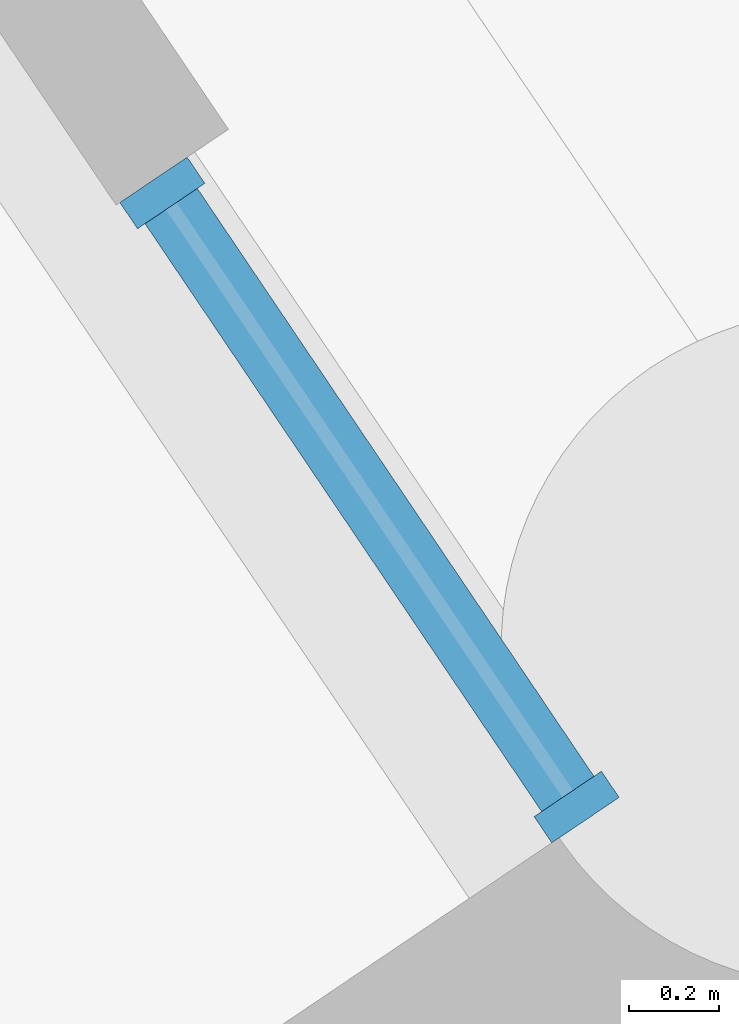
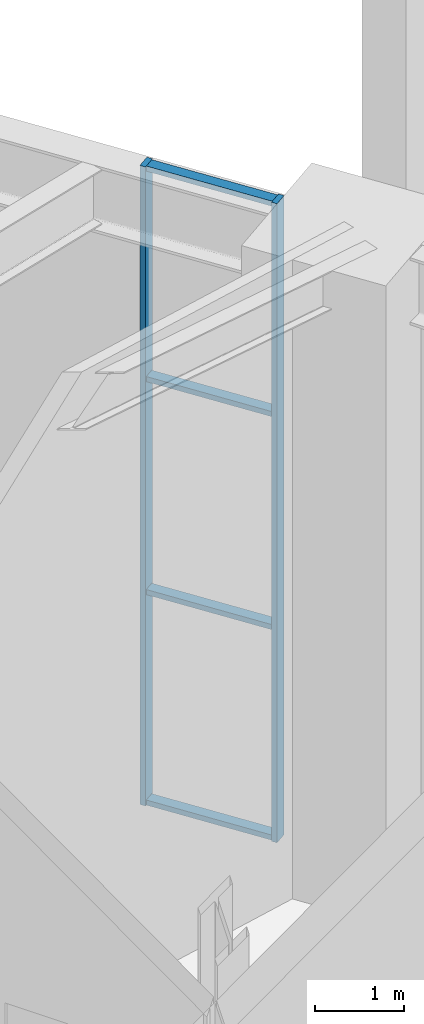
# One storey, part 15 of 43: 6 members, 1 element without a shape of its own.
"""IFC4 building model written with IfcOpenShell, lengths in metres."""

from ifc_helpers import new_model, si_unit, direction, frame, origin, origin_2d, place, context, subcontext, project, spatial, rectangle, extrude, material, material_profile, profile_set, type_object, element, aggregate, save


model = new_model("IFC4")

# Units and contexts
model_context = context("Model", 3, precision=1e-05, world=origin(), true_north=direction((0.0, 1.0)))
body_context = subcontext(model_context, "Body", "Model", "MODEL_VIEW")
ifc_project = project(units=[si_unit("LENGTHUNIT", "METRE"), si_unit("AREAUNIT", "SQUARE_METRE"), si_unit("VOLUMEUNIT", "CUBIC_METRE"), si_unit("PLANEANGLEUNIT", "RADIAN"), si_unit("MASSUNIT", "GRAM", prefix="KILO")], contexts=[model_context])

# Site, building, storey
site_placement = place(None, origin())
site = spatial("IfcSite", under=ifc_project, at=site_placement, CompositionType="ELEMENT")
building_placement = place(site_placement, origin())
building = spatial("IfcBuilding", under=site, at=building_placement, Name="Tarnside Tower", CompositionType="ELEMENT")
storey_placement = place(building_placement, origin())
storey = spatial("IfcBuildingStorey", under=building, at=storey_placement, Name="L00", CompositionType="ELEMENT", Elevation=0.0)

# Curtain wall, members
ifc_material_1 = material(Name="Lobby entrance glazing wall", Category="glass")
curtain_wall_type = type_object("IfcCurtainWallType", Name="Lobby entrance glazing wall", PredefinedType="NOTDEFINED", material=ifc_material_1)
curtain_wall_placement = place(storey_placement, origin())
curtain_wall = element("IfcCurtainWall", 1, at=curtain_wall_placement, inside=storey, type_object=curtain_wall_type, Name="Side light 20a", PredefinedType="NOTDEFINED")
ifc_material_2 = material(Name="Aluminium alloy 6063", Category="aluminium")
ifc_material_profile_1 = material_profile(ifc_material_2, rectangle(XDim=0.179931640625, YDim=0.070068359375, at=origin_2d()), Name="Lobby entrance glazing mullion 70 x 180")
ifc_profile_set_1 = profile_set([ifc_material_profile_1], Name="Aluminium alloy 6063")
member_type_1 = type_object("IfcMemberType", Name="Lobby entrance glazing mullion 70 x 180", PredefinedType="MULLION", material=ifc_profile_set_1)
member_1_placement = place(storey_placement, frame((29.967529296875, 7.78955078125, 0.0), z_axis=(0.0, 0.0, 1.0), x_axis=(-0.829037572321, -0.559192903818, 0.0)))
member_1 = element("IfcMember", 2, at=member_1_placement, type_object=member_type_1, Name="CW3 mullion 1", PredefinedType="MULLION", context=body_context, shape_type="SweptSolid", body=[
    extrude(rectangle(XDim=0.179931640625, YDim=0.070068359375, at=origin_2d()), origin(), (0.0, 0.0, 1.0), 8.75),
])
member_2_placement = place(storey_placement, frame((29.04931640625, 9.150634765625, 0.0), z_axis=(0.0, 0.0, 1.0), x_axis=(-0.829037572321, -0.559192903818, 0.0)))
member_2 = element("IfcMember", 3, at=member_2_placement, type_object=member_type_1, Name="CW3 mullion 2", PredefinedType="MULLION", context=body_context, shape_type="SweptSolid", body=[
    extrude(rectangle(XDim=0.179931640625, YDim=0.070068359375, at=origin_2d()), origin(), (0.0, 0.0, 1.0), 8.75),
])
ifc_material_profile_2 = material_profile(ifc_material_2, rectangle(XDim=0.139892578125, YDim=0.070068359375, at=origin_2d()), Name="Lobby entrance glazing transom 70 x 140")
ifc_profile_set_2 = profile_set([ifc_material_profile_2], Name="Aluminium alloy 6063")
member_type_2 = type_object("IfcMemberType", Name="Lobby entrance glazing transom 70 x 140", PredefinedType="USERDEFINED", material=ifc_profile_set_2)
member_3_placement = place(storey_placement, frame((29.947998046875, 7.818603515625, 0.034912109375), z_axis=(-0.559315455249, 0.828954897157, 0.0), x_axis=(-0.828954897157, -0.559315455249, 0.0)))
member_3 = element("IfcMember", 4, at=member_3_placement, type_object=member_type_2, Name="CW3 transom 1.1", ObjectType="TRANSOM", PredefinedType="USERDEFINED", context=body_context, shape_type="SweptSolid", body=[
    extrude(rectangle(XDim=0.139892578125, YDim=0.070068359375, at=origin_2d()), origin(), (0.0, 0.0, 1.0), 1.57177734375),
])
member_4_placement = place(storey_placement, frame((29.947998046875, 7.818603515625, 2.916748046875), z_axis=(-0.559315455249, 0.828954897157, 0.0), x_axis=(-0.828954897157, -0.559315455249, 0.0)))
member_4 = element("IfcMember", 5, at=member_4_placement, type_object=member_type_2, Name="CW3 transom 1.2", ObjectType="TRANSOM", PredefinedType="USERDEFINED", context=body_context, shape_type="SweptSolid", body=[
    extrude(rectangle(XDim=0.139892578125, YDim=0.070068359375, at=origin_2d()), origin(), (0.0, 0.0, 1.0), 1.57177734375),
])
member_5_placement = place(storey_placement, frame((29.947998046875, 7.818603515625, 5.833251953125), z_axis=(-0.559315455249, 0.828954897157, 0.0), x_axis=(-0.828954897157, -0.559315455249, 0.0)))
member_5 = element("IfcMember", 6, at=member_5_placement, type_object=member_type_2, Name="CW3 transom 1.3", ObjectType="TRANSOM", PredefinedType="USERDEFINED", context=body_context, shape_type="SweptSolid", body=[
    extrude(rectangle(XDim=0.139892578125, YDim=0.070068359375, at=origin_2d()), origin(), (0.0, 0.0, 1.0), 1.57177734375),
])
member_6_placement = place(storey_placement, frame((29.947998046875, 7.818603515625, 8.715087890625), z_axis=(-0.559315455249, 0.828954897157, 0.0), x_axis=(-0.828954897157, -0.559315455249, 0.0)))
member_6 = element("IfcMember", 7, at=member_6_placement, type_object=member_type_2, Name="CW3 transom 1.4", ObjectType="TRANSOM", PredefinedType="USERDEFINED", context=body_context, shape_type="SweptSolid", body=[
    extrude(rectangle(XDim=0.139892578125, YDim=0.070068359375, at=origin_2d()), origin(), (0.0, 0.0, 1.0), 1.57177734375),
])
aggregate(curtain_wall, [member_1, member_2, member_3, member_4, member_5, member_6])

save(model, "model.ifc")
